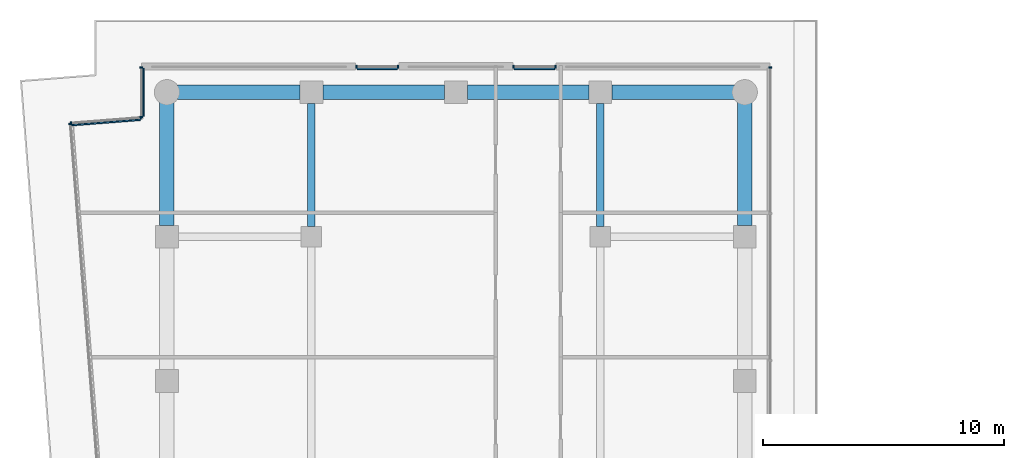
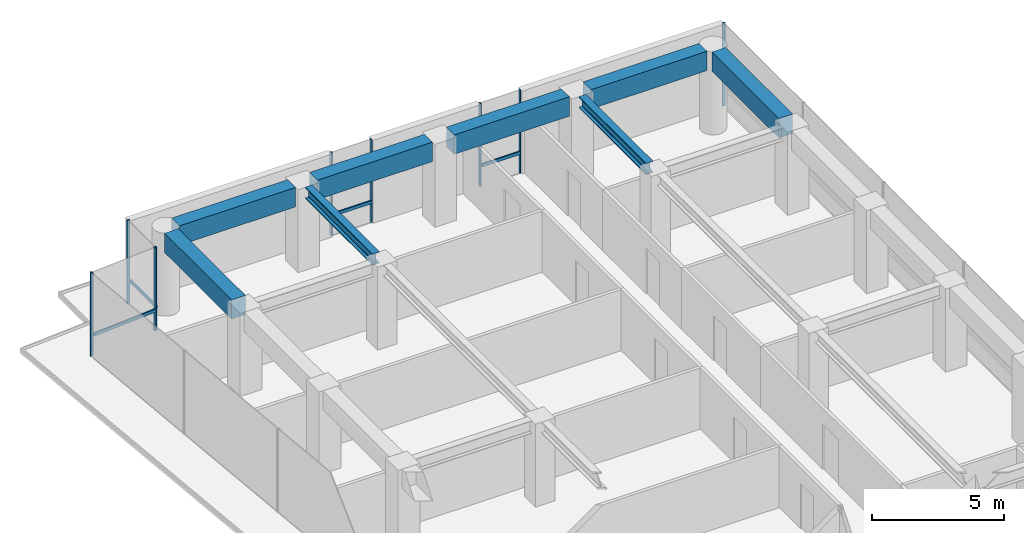
# One storey, part 20 of 28: 14 members, 8 beams, 6 elements without a shape of their own.
"""IFC4 building model written with IfcOpenShell, lengths in metres."""

from ifc_helpers import new_model, si_unit, direction, frame, origin, origin_2d, place, context, subcontext, project, spatial, rectangle, i_section, extrude, material, layer, layer_set, material_profile, profile_set, type_object, element, aggregate, save


model = new_model("IFC4")

# Units and contexts
model_context = context("Model", 3, precision=1e-05, world=origin(), true_north=direction((0.0, 1.0)))
body_context = subcontext(model_context, "Body", "Model", "MODEL_VIEW")
ifc_project = project(units=[si_unit("LENGTHUNIT", "METRE"), si_unit("AREAUNIT", "SQUARE_METRE"), si_unit("VOLUMEUNIT", "CUBIC_METRE"), si_unit("PLANEANGLEUNIT", "RADIAN"), si_unit("MASSUNIT", "GRAM", prefix="KILO")], contexts=[model_context])

# Site, building, storey
site_placement = place(None, origin())
site = spatial("IfcSite", under=ifc_project, at=site_placement, CompositionType="ELEMENT")
building_placement = place(site_placement, origin())
building = spatial("IfcBuilding", under=site, at=building_placement, Name="Welwitschia Terrace Campus", CompositionType="ELEMENT")
storey_placement = place(building_placement, frame((0.0, 0.0, 71.0)))
storey = spatial("IfcBuildingStorey", under=building, at=storey_placement, Name="L16", CompositionType="ELEMENT", Elevation=71.0)

# Beams
ifc_material_1 = material(Name="Steel S355", Category="steel")
ifc_material_profile_1 = material_profile(ifc_material_1, i_section(OverallWidth=0.305908203125, OverallDepth=0.52392578125, WebThickness=0.02099609375, FlangeThickness=0.0400390625, FilletRadius=0.027099609375, at=origin_2d()))
ifc_profile_set_1 = profile_set([ifc_material_profile_1], Name="Steel S355")
beam_type_1 = type_object("IfcBeamType", Name="Interior girder HE 500 M", PredefinedType="BEAM", material=ifc_profile_set_1)
for number, where, z_axis, x_axis, name in (
    (1, (6.0, 56.425537109375, 3.587890625), (0.0, 1.0, 0.0), (-1.0, 0.0, 0.0), "Girder GB2"),
    (2, (18.0, 56.425537109375, 3.587890625), (0.0, 1.0, 0.0), (-1.0, 0.0, 0.0), "Girder GB2"),
):
    element("IfcBeam", number, at=place(storey_placement, frame(where, z_axis=z_axis, x_axis=x_axis)), inside=storey, type_object=beam_type_1, Name=name, PredefinedType="BEAM", context=body_context, shape_type="SweptSolid", body=[
        extrude(i_section(OverallWidth=0.305908203125, OverallDepth=0.52392578125, WebThickness=0.02099609375, FlangeThickness=0.0400390625, FilletRadius=0.027099609375, at=origin_2d()), origin(), (0.0, 0.0, 1.0), 5.10888671875),
    ])

# Curtain wall, member
ifc_material_2 = material(Name="Bronze anodised aluminium", Category="aluminium")
ifc_layer = layer(ifc_material_2, 0.1201171875)
ifc_layer_set = layer_set([ifc_layer], Name="Bronze anodised aluminium")
curtain_wall_type = type_object("IfcCurtainWallType", Name="Curtain wall CW2 tower 6000", PredefinedType="NOTDEFINED", material=ifc_layer_set)
curtain_wall_1_placement = place(storey_placement, origin())
curtain_wall_1 = element("IfcCurtainWall", 3, at=curtain_wall_1_placement, inside=storey, type_object=curtain_wall_type, Name="CW L16.14.0", PredefinedType="NOTDEFINED")
ifc_material_3 = material(Name="Bronze anodised aluminium", Category="aluminium")
ifc_material_profile_2 = material_profile(ifc_material_3, rectangle(XDim=0.1201171875, YDim=0.06005859375, at=origin_2d()))
ifc_profile_set_2 = profile_set([ifc_material_profile_2], Name="Bronze anodised aluminium")
member_type_1 = type_object("IfcMemberType", Name="Mullion 60x120", PredefinedType="MULLION", material=ifc_profile_set_2)
member_1_placement = place(storey_placement, frame((25.05810546875, 63.028076171875, 0.0), z_axis=(0.0, 0.0, 1.0), x_axis=(-1.0, 0.0, 0.0)))
member_1 = element("IfcMember", 4, at=member_1_placement, type_object=member_type_1, Name="Mullion L16.14.0.6", PredefinedType="MULLION", context=body_context, shape_type="SweptSolid", body=[
    extrude(rectangle(XDim=0.1201171875, YDim=0.06005859375, at=origin_2d()), origin(), (0.0, 0.0, 1.0), 3.85009765625),
])
aggregate(curtain_wall_1, [member_1])

# Curtain wall, members
curtain_wall_2_placement = place(storey_placement, origin())
curtain_wall_2 = element("IfcCurtainWall", 5, at=curtain_wall_2_placement, inside=storey, type_object=curtain_wall_type, Name="CW L16.15.S0", PredefinedType="NOTDEFINED")
member_2_placement = place(storey_placement, frame((16.134521484375, 63.05810546875, 0.0), z_axis=(0.0, 0.0, 1.0), x_axis=(0.0, -1.0, 0.0)))
member_2 = element("IfcMember", 6, at=member_2_placement, type_object=member_type_1, Name="Mullion L16.15.S0.0", PredefinedType="MULLION", context=body_context, shape_type="SweptSolid", body=[
    extrude(rectangle(XDim=0.1201171875, YDim=0.06005859375, at=origin_2d()), origin(), (0.0, 0.0, 1.0), 3.85009765625),
])
member_3_placement = place(storey_placement, frame((14.39453125, 63.05810546875, 0.0), z_axis=(0.0, 0.0, 1.0), x_axis=(0.0, -1.0, 0.0)))
member_3 = element("IfcMember", 7, at=member_3_placement, type_object=member_type_1, Name="Mullion L16.15.S0.1", PredefinedType="MULLION", context=body_context, shape_type="SweptSolid", body=[
    extrude(rectangle(XDim=0.1201171875, YDim=0.06005859375, at=origin_2d()), origin(), (0.0, 0.0, 1.0), 3.85009765625),
])

curtain_wall_3_placement = place(storey_placement, origin())
curtain_wall_3 = element("IfcCurtainWall", 8, at=curtain_wall_3_placement, inside=storey, type_object=curtain_wall_type, Name="CW L16.15.S1", PredefinedType="NOTDEFINED")
member_4_placement = place(storey_placement, frame((9.60546875, 63.05810546875, 0.0), z_axis=(0.0, 0.0, 1.0), x_axis=(0.0, -1.0, 0.0)))
member_4 = element("IfcMember", 9, at=member_4_placement, type_object=member_type_1, Name="Mullion L16.15.S1.0", PredefinedType="MULLION", context=body_context, shape_type="SweptSolid", body=[
    extrude(rectangle(XDim=0.1201171875, YDim=0.06005859375, at=origin_2d()), origin(), (0.0, 0.0, 1.0), 3.85009765625),
])
member_5_placement = place(storey_placement, frame((7.865478515625, 63.05810546875, 0.0), z_axis=(0.0, 0.0, 1.0), x_axis=(0.0, -1.0, 0.0)))
member_5 = element("IfcMember", 10, at=member_5_placement, type_object=member_type_1, Name="Mullion L16.15.S1.1", PredefinedType="MULLION", context=body_context, shape_type="SweptSolid", body=[
    extrude(rectangle(XDim=0.1201171875, YDim=0.06005859375, at=origin_2d()), origin(), (0.0, 0.0, 1.0), 3.85009765625),
])

curtain_wall_4_placement = place(storey_placement, origin())
curtain_wall_4 = element("IfcCurtainWall", 11, at=curtain_wall_4_placement, inside=storey, type_object=curtain_wall_type, Name="CW L16.16.0", PredefinedType="NOTDEFINED")
member_6_placement = place(storey_placement, frame((-1.05810546875, 63.028076171875, 0.0), z_axis=(0.0, 0.0, 1.0), x_axis=(1.0, 0.0, 0.0)))
member_6 = element("IfcMember", 12, at=member_6_placement, type_object=member_type_1, Name="Mullion L16.16.0.0", PredefinedType="MULLION", context=body_context, shape_type="SweptSolid", body=[
    extrude(rectangle(XDim=0.1201171875, YDim=0.06005859375, at=origin_2d()), origin(), (0.0, 0.0, 1.0), 3.85009765625),
])
member_7_placement = place(storey_placement, frame((-1.05810546875, 60.978515625, 0.0), z_axis=(0.0, 0.0, 1.0), x_axis=(1.0, 0.0, 0.0)))
member_7 = element("IfcMember", 13, at=member_7_placement, type_object=member_type_1, Name="Mullion L16.16.0.1", PredefinedType="MULLION", context=body_context, shape_type="SweptSolid", body=[
    extrude(rectangle(XDim=0.1201171875, YDim=0.06005859375, at=origin_2d()), origin(), (0.0, 0.0, 1.0), 3.85009765625),
])

curtain_wall_5_placement = place(storey_placement, origin())
curtain_wall_5 = element("IfcCurtainWall", 14, at=curtain_wall_5_placement, inside=storey, type_object=curtain_wall_type, Name="CW L16.17.0", PredefinedType="NOTDEFINED")
member_8_placement = place(storey_placement, frame((-1.087890625, 60.9462890625, 0.0), z_axis=(0.0, 0.0, 1.0), x_axis=(0.078459095728, -0.996917333733, 0.0)))
member_8 = element("IfcMember", 15, at=member_8_placement, type_object=member_type_1, Name="Mullion L16.17.0.0", PredefinedType="MULLION", context=body_context, shape_type="SweptSolid", body=[
    extrude(rectangle(XDim=0.1201171875, YDim=0.06005859375, at=origin_2d()), origin(), (0.0, 0.0, 1.0), 3.85009765625),
])
member_9_placement = place(storey_placement, frame((-3.98291015625, 60.71826171875, 0.0), z_axis=(0.0, 0.0, 1.0), x_axis=(0.078459095728, -0.996917333733, 0.0)))
member_9 = element("IfcMember", 16, at=member_9_placement, type_object=member_type_1, Name="Mullion L16.17.0.1", PredefinedType="MULLION", context=body_context, shape_type="SweptSolid", body=[
    extrude(rectangle(XDim=0.1201171875, YDim=0.06005859375, at=origin_2d()), origin(), (0.0, 0.0, 1.0), 3.85009765625),
])

# Curtain wall, member
curtain_wall_6_placement = place(storey_placement, origin())
curtain_wall_6 = element("IfcCurtainWall", 17, at=curtain_wall_6_placement, inside=storey, type_object=curtain_wall_type, Name="CW L16.18.0", PredefinedType="NOTDEFINED")
member_10_placement = place(storey_placement, frame((-4.010498046875, 60.68603515625, 0.0), z_axis=(0.0, 0.0, 1.0), x_axis=(0.996917333733, 0.078459095728, 0.0)))
member_10 = element("IfcMember", 18, at=member_10_placement, type_object=member_type_1, Name="Mullion L16.18.0.0", PredefinedType="MULLION", context=body_context, shape_type="SweptSolid", body=[
    extrude(rectangle(XDim=0.1201171875, YDim=0.06005859375, at=origin_2d()), origin(), (0.0, 0.0, 1.0), 3.85009765625),
])
aggregate(curtain_wall_6, [member_10])

# Beams
ifc_material_4 = material(Name="Concrete C60/75", Category="concrete")
ifc_material_profile_3 = material_profile(ifc_material_4, rectangle(XDim=0.60009765625, YDim=0.89990234375, at=origin_2d()))
ifc_profile_set_3 = profile_set([ifc_material_profile_3], Name="Concrete C60/75")
beam_type_2 = type_object("IfcBeamType", Name="Ring spandrel 600x900", PredefinedType="SPANDREL", material=ifc_profile_set_3)
for number, where, z_axis, x_axis, name in (
    (19, (24.0, 56.4755859375, 3.39990234375), (0.0, 1.0, 0.0), (-1.0, 0.0, 0.0), "Spandrel SP2"),
    (20, (23.568603515625, 62.0, 3.39990234375), (-1.0, 0.0, 0.0), (0.0, -1.0, 0.0), "Spandrel SP2"),
):
    element("IfcBeam", number, at=place(storey_placement, frame(where, z_axis=z_axis, x_axis=x_axis)), inside=storey, type_object=beam_type_2, Name=name, PredefinedType="SPANDREL", context=body_context, shape_type="SweptSolid", body=[
        extrude(rectangle(XDim=0.60009765625, YDim=0.89990234375, at=origin_2d()), origin(), (0.0, 0.0, 1.0), 5.093017578125),
    ])
for number, where, z_axis, x_axis, name in (
    (21, (17.5244140625, 62.0, 3.39990234375), (-1.0, 0.0, 0.0), (0.0, -1.0, 0.0), "Spandrel SP2"),
    (22, (11.5244140625, 62.0, 3.39990234375), (-1.0, 0.0, 0.0), (0.0, -1.0, 0.0), "Spandrel SP2"),
):
    element("IfcBeam", number, at=place(storey_placement, frame(where, z_axis=z_axis, x_axis=x_axis)), inside=storey, type_object=beam_type_2, Name=name, PredefinedType="SPANDREL", context=body_context, shape_type="SweptSolid", body=[
        extrude(rectangle(XDim=0.60009765625, YDim=0.89990234375, at=origin_2d()), origin(), (0.0, 0.0, 1.0), 5.048828125),
    ])
for number, where, z_axis, x_axis, name in (
    (23, (5.5244140625, 62.0, 3.39990234375), (-1.0, 0.0, 0.0), (0.0, -1.0, 0.0), "Spandrel SP2"),
    (24, (0.0, 61.568603515625, 3.39990234375), (0.0, -1.0, 0.0), (1.0, 0.0, 0.0), "Spandrel SP2"),
):
    element("IfcBeam", number, at=place(storey_placement, frame(where, z_axis=z_axis, x_axis=x_axis)), inside=storey, type_object=beam_type_2, Name=name, PredefinedType="SPANDREL", context=body_context, shape_type="SweptSolid", body=[
        extrude(rectangle(XDim=0.60009765625, YDim=0.89990234375, at=origin_2d()), origin(), (0.0, 0.0, 1.0), 5.093017578125),
    ])

# Member
ifc_material_5 = material(Name="Bronze anodised aluminium", Category="aluminium")
ifc_material_profile_4 = material_profile(ifc_material_5, rectangle(XDim=0.06005859375, YDim=0.14990234375, at=origin_2d()))
ifc_profile_set_4 = profile_set([ifc_material_profile_4], Name="Bronze anodised aluminium")
member_type_2 = type_object("IfcMemberType", Name="Transom 60x150", PredefinedType="USERDEFINED", material=ifc_profile_set_4)
member_11_placement = place(storey_placement, frame((16.1044921875, 62.968017578125, 1.0), z_axis=(-1.0, 0.0, 0.0), x_axis=(0.0, -1.0, 0.0)))
member_11 = element("IfcMember", 25, at=member_11_placement, type_object=member_type_2, Name="Transom L16.15.S0", ObjectType="TRANSOM", PredefinedType="USERDEFINED", context=body_context, shape_type="SweptSolid", body=[
    extrude(rectangle(XDim=0.06005859375, YDim=0.14990234375, at=origin_2d()), origin(), (0.0, 0.0, 1.0), 1.679931640625),
])

aggregate(curtain_wall_2, [member_2, member_3, member_11])

member_12_placement = place(storey_placement, frame((9.575439453125, 62.968017578125, 1.0), z_axis=(-1.0, 0.0, 0.0), x_axis=(0.0, -1.0, 0.0)))
member_12 = element("IfcMember", 26, at=member_12_placement, type_object=member_type_2, Name="Transom L16.15.S1", ObjectType="TRANSOM", PredefinedType="USERDEFINED", context=body_context, shape_type="SweptSolid", body=[
    extrude(rectangle(XDim=0.06005859375, YDim=0.14990234375, at=origin_2d()), origin(), (0.0, 0.0, 1.0), 1.679931640625),
])

aggregate(curtain_wall_3, [member_4, member_5, member_12])

member_13_placement = place(storey_placement, frame((-0.968017578125, 62.998046875, 1.0), z_axis=(0.0, -1.0, 0.0), x_axis=(1.0, 0.0, 0.0)))
member_13 = element("IfcMember", 27, at=member_13_placement, type_object=member_type_2, Name="Transom L16.16.0", ObjectType="TRANSOM", PredefinedType="USERDEFINED", context=body_context, shape_type="SweptSolid", body=[
    extrude(rectangle(XDim=0.06005859375, YDim=0.14990234375, at=origin_2d()), origin(), (0.0, 0.0, 1.0), 1.989501953125),
])

aggregate(curtain_wall_4, [member_6, member_7, member_13])

member_14_placement = place(storey_placement, frame((-1.11083984375, 60.85400390625, 1.0), z_axis=(-0.996923268565, -0.078383650034, 0.0), x_axis=(0.078383650034, -0.996923268565, 0.0)))
member_14 = element("IfcMember", 28, at=member_14_placement, type_object=member_type_2, Name="Transom L16.17.0", ObjectType="TRANSOM", PredefinedType="USERDEFINED", context=body_context, shape_type="SweptSolid", body=[
    extrude(rectangle(XDim=0.06005859375, YDim=0.14990234375, at=origin_2d()), origin(), (0.0, 0.0, 1.0), 2.84375),
])

aggregate(curtain_wall_5, [member_8, member_9, member_14])

save(model, "model.ifc")
